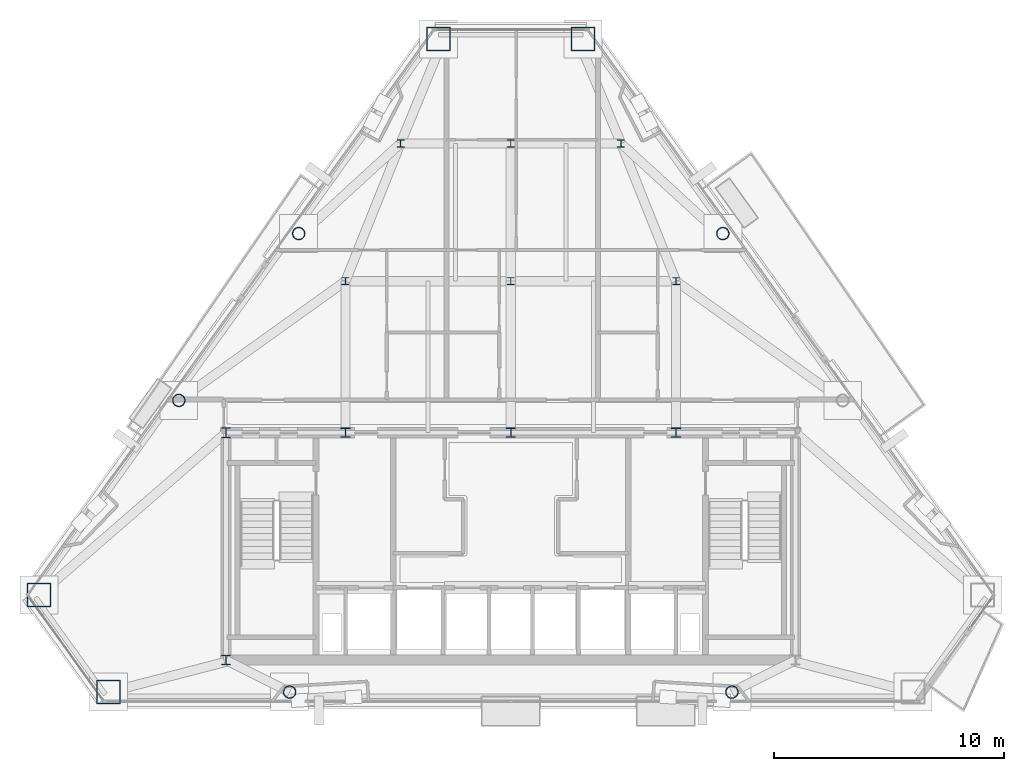
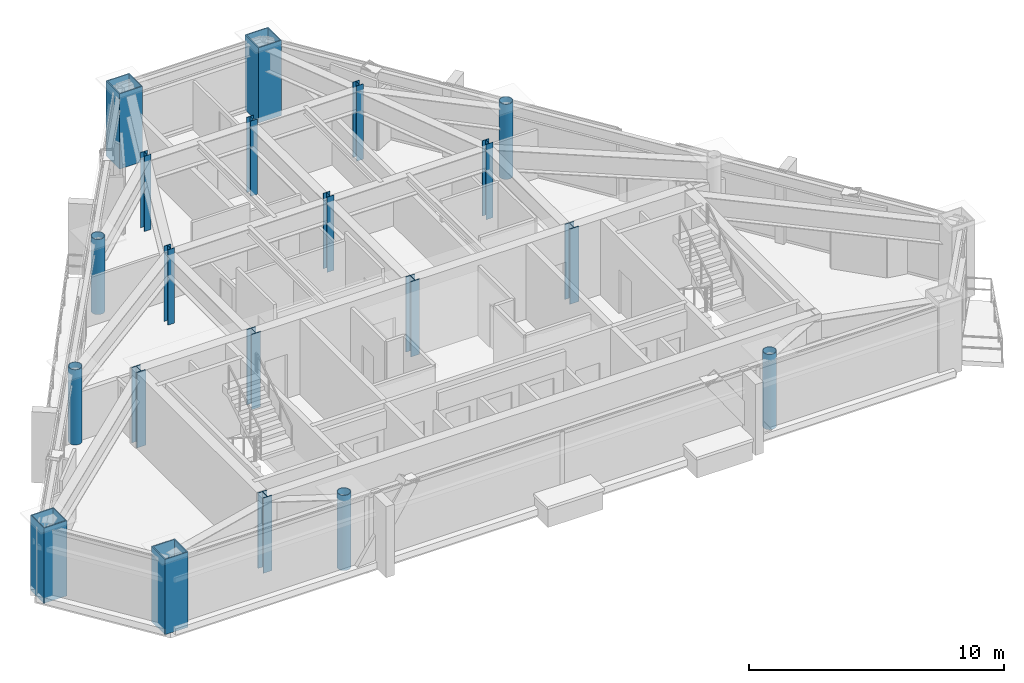
# One storey, part 1 of 11: 20 columns.
"""IFC4 building model written with IfcOpenShell, lengths in metres."""

from ifc_helpers import new_model, si_unit, direction, frame, origin, origin_2d, place, context, subcontext, project, spatial, hollow_rectangle, hollow_circle, i_section, extrude, material, material_profile, profile_set, type_object, element, save


model = new_model("IFC4")

# Units and contexts
model_context = context("Model", 3, precision=1e-05, world=origin(), true_north=direction((0.0, 1.0)))
body_context = subcontext(model_context, "Body", "Model", "MODEL_VIEW")
ifc_project = project(units=[si_unit("LENGTHUNIT", "METRE"), si_unit("AREAUNIT", "SQUARE_METRE"), si_unit("VOLUMEUNIT", "CUBIC_METRE"), si_unit("PLANEANGLEUNIT", "RADIAN"), si_unit("MASSUNIT", "GRAM", prefix="KILO")], contexts=[model_context])

# Site, building, storey
site_placement = place(None, origin())
site = spatial("IfcSite", under=ifc_project, at=site_placement, CompositionType="ELEMENT")
building_placement = place(site_placement, origin())
building = spatial("IfcBuilding", under=site, at=building_placement, Name="Talgorran Terracotta Tower", CompositionType="ELEMENT")
storey_placement = place(building_placement, frame((0.0, 0.0, 214.5)))
storey = spatial("IfcBuildingStorey", under=building, at=storey_placement, Name="L56", CompositionType="ELEMENT", Elevation=214.5)

# Columns
ifc_material_1 = material(Name="Steel S355 (300PLUS)", Category="steel")
ifc_material_profile_1 = material_profile(ifc_material_1, i_section(OverallWidth=0.306884765625, OverallDepth=0.314453125, WebThickness=0.011962890625, FlangeThickness=0.018798828125, at=origin_2d()), Name="310UC118")
ifc_profile_set_1 = profile_set([ifc_material_profile_1], Name="Steel S355 (300PLUS)")
column_type_1 = type_object("IfcColumnType", Name="COL_310UC118", PredefinedType="COLUMN", material=ifc_profile_set_1)
for number, where, z_axis, x_axis, name in (
    (1, (-7.199951171875, 2.39990234375, 0.0), (0.0, 0.0, 1.0), (1.0, 0.0, 0.0), "L56 Interior Gravity Column IC1"),
    (2, (0.0, 2.39990234375, 0.0), (0.0, 0.0, 1.0), (1.0, 0.0, 0.0), "L56 Interior Gravity Column IC2"),
    (3, (7.199951171875, 2.39990234375, 0.0), (0.0, 0.0, 1.0), (1.0, 0.0, 0.0), "L56 Interior Gravity Column IC3"),
    (4, (-4.800048828125, 8.39990234375, 0.0), (0.0, 0.0, 1.0), (1.0, 0.0, 0.0), "L56 Interior Gravity Column IC4"),
    (5, (0.0, 8.39990234375, 0.0), (0.0, 0.0, 1.0), (1.0, 0.0, 0.0), "L56 Interior Gravity Column IC5"),
    (6, (4.800048828125, 8.39990234375, 0.0), (0.0, 0.0, 1.0), (1.0, 0.0, 0.0), "L56 Interior Gravity Column IC6"),
):
    element("IfcColumn", number, at=place(storey_placement, frame(where, z_axis=z_axis, x_axis=x_axis)), inside=storey, type_object=column_type_1, Name=name, PredefinedType="COLUMN", context=body_context, shape_type="SweptSolid", body=[
        extrude(i_section(OverallWidth=0.306884765625, OverallDepth=0.314453125, WebThickness=0.011962890625, FlangeThickness=0.018798828125, at=origin_2d()), origin(), (0.0, 0.0, 1.0), 3.60009765625),
    ])
ifc_material_profile_2 = material_profile(ifc_material_1, i_section(OverallWidth=0.39990234375, OverallDepth=0.43994140625, WebThickness=0.028076171875, FlangeThickness=0.0400390625, at=origin_2d()), Name="400WC328")
ifc_profile_set_2 = profile_set([ifc_material_profile_2], Name="Steel S355 (300PLUS)")
column_type_2 = type_object("IfcColumnType", Name="COL_400WC328", PredefinedType="COLUMN", material=ifc_profile_set_2)
for number, where, z_axis, x_axis, name in (
    (7, (-12.39990234375, -14.10009765625, 0.0), (0.0, 0.0, 1.0), (1.0, 0.0, 0.0), "L56 Core Boundary Column CC1"),
    (8, (-12.39990234375, -4.199951171875, 0.0), (0.0, 0.0, 1.0), (1.0, 0.0, 0.0), "L56 Core Boundary Column CC4"),
):
    element("IfcColumn", number, at=place(storey_placement, frame(where, z_axis=z_axis, x_axis=x_axis)), inside=storey, type_object=column_type_2, Name=name, PredefinedType="COLUMN", context=body_context, shape_type="SweptSolid", body=[
        extrude(i_section(OverallWidth=0.39990234375, OverallDepth=0.43994140625, WebThickness=0.028076171875, FlangeThickness=0.0400390625, at=origin_2d()), origin(), (0.0, 0.0, 1.0), 3.60009765625),
    ])
ifc_material_2 = material(Name="Steel Grade 350 (350L0)", Category="steel")
ifc_material_profile_3 = material_profile(ifc_material_2, hollow_rectangle(XDim=1.050048828125, YDim=1.050048828125, WallThickness=0.044921875, at=origin_2d()), Name="CFT1050X1050X45")
ifc_profile_set_3 = profile_set([ifc_material_profile_3], Name="Steel Grade 350 (350L0)")
column_type_3 = type_object("IfcColumnType", Name="COL_CFT_1050", PredefinedType="COLUMN", material=ifc_profile_set_3)
for number, where, z_axis, x_axis, name in (
    (9, (-20.54833984375, -11.26953125, 0.0), (0.0, 0.0, 1.0), (1.0, 0.0, 0.0), "L56 Corner CFT Mega-Column MC1"),
    (10, (-17.5107421875, -15.49658203125, 0.0), (0.0, 0.0, 1.0), (1.0, 0.0, 0.0), "L56 Corner CFT Mega-Column MC2"),
    (11, (3.14453125, 12.94970703125, 0.0), (0.0, 0.0, 1.0), (1.0, 0.0, 0.0), "L56 Corner CFT Mega-Column MC5"),
    (12, (-3.14453125, 12.94970703125, 0.0), (0.0, 0.0, 1.0), (1.0, 0.0, 0.0), "L56 Corner CFT Mega-Column MC6"),
):
    element("IfcColumn", number, at=place(storey_placement, frame(where, z_axis=z_axis, x_axis=x_axis)), inside=storey, type_object=column_type_3, Name=name, PredefinedType="COLUMN", context=body_context, shape_type="SweptSolid", body=[
        extrude(hollow_rectangle(XDim=1.050048828125, YDim=1.050048828125, WallThickness=0.044921875, at=origin_2d()), origin(), (0.0, 0.0, 1.0), 3.60009765625),
    ])
ifc_material_profile_4 = material_profile(ifc_material_2, hollow_circle(Radius=0.27490234375, WallThickness=0.02392578125, at=origin_2d()), Name="CHS550X24")
ifc_profile_set_4 = profile_set([ifc_material_profile_4], Name="Steel Grade 350 (350L0)")
column_type_4 = type_object("IfcColumnType", Name="COL_CHS_550", PredefinedType="COLUMN", material=ifc_profile_set_4)
for number, where, z_axis, x_axis, name in (
    (13, (-9.630859375, -15.49658203125, 0.0), (0.0, 0.0, 1.0), (1.0, 0.0, 0.0), "L56 Facet Perimeter Column FC1"),
    (14, (9.630859375, -15.49658203125, 0.0), (0.0, 0.0, 1.0), (1.0, 0.0, 0.0), "L56 Facet Perimeter Column FC2"),
    (15, (9.23583984375, 4.472900390625, 0.0), (0.0, 0.0, 1.0), (1.0, 0.0, 0.0), "L56 Facet Perimeter Column FC4"),
    (16, (-9.23583984375, 4.472900390625, 0.0), (0.0, 0.0, 1.0), (1.0, 0.0, 0.0), "L56 Facet Perimeter Column FC5"),
    (17, (-14.45703125, -2.79296875, 0.0), (0.0, 0.0, 1.0), (1.0, 0.0, 0.0), "L56 Facet Perimeter Column FC6"),
):
    element("IfcColumn", number, at=place(storey_placement, frame(where, z_axis=z_axis, x_axis=x_axis)), inside=storey, type_object=column_type_4, Name=name, PredefinedType="COLUMN", context=body_context, shape_type="SweptSolid", body=[
        extrude(hollow_circle(Radius=0.27490234375, WallThickness=0.02392578125, at=origin_2d()), origin(), (0.0, 0.0, 1.0), 3.60009765625),
    ])
ifc_material_profile_5 = material_profile(ifc_material_1, i_section(OverallWidth=0.405029296875, OverallDepth=0.4140625, WebThickness=0.02197265625, FlangeThickness=0.031982421875, at=origin_2d()), Name="400WC270")
ifc_profile_set_5 = profile_set([ifc_material_profile_5], Name="Steel S355 (300PLUS)")
column_type_5 = type_object("IfcColumnType", Name="COL_PIL_400WC270", PredefinedType="PILASTER", material=ifc_profile_set_5)
for number, where, z_axis, x_axis, name in (
    (18, (-7.199951171875, -4.199951171875, 0.0), (0.0, 0.0, 1.0), (1.0, 0.0, 0.0), "L56 Core Shear Pilaster CP1"),
    (19, (0.0, -4.199951171875, 0.0), (0.0, 0.0, 1.0), (1.0, 0.0, 0.0), "L56 Core Shear Pilaster CP2"),
    (20, (7.199951171875, -4.199951171875, 0.0), (0.0, 0.0, 1.0), (1.0, 0.0, 0.0), "L56 Core Shear Pilaster CP3"),
):
    element("IfcColumn", number, at=place(storey_placement, frame(where, z_axis=z_axis, x_axis=x_axis)), inside=storey, type_object=column_type_5, Name=name, PredefinedType="PILASTER", context=body_context, shape_type="SweptSolid", body=[
        extrude(i_section(OverallWidth=0.405029296875, OverallDepth=0.4140625, WebThickness=0.02197265625, FlangeThickness=0.031982421875, at=origin_2d()), origin(), (0.0, 0.0, 1.0), 3.60009765625),
    ])

save(model, "model.ifc")
